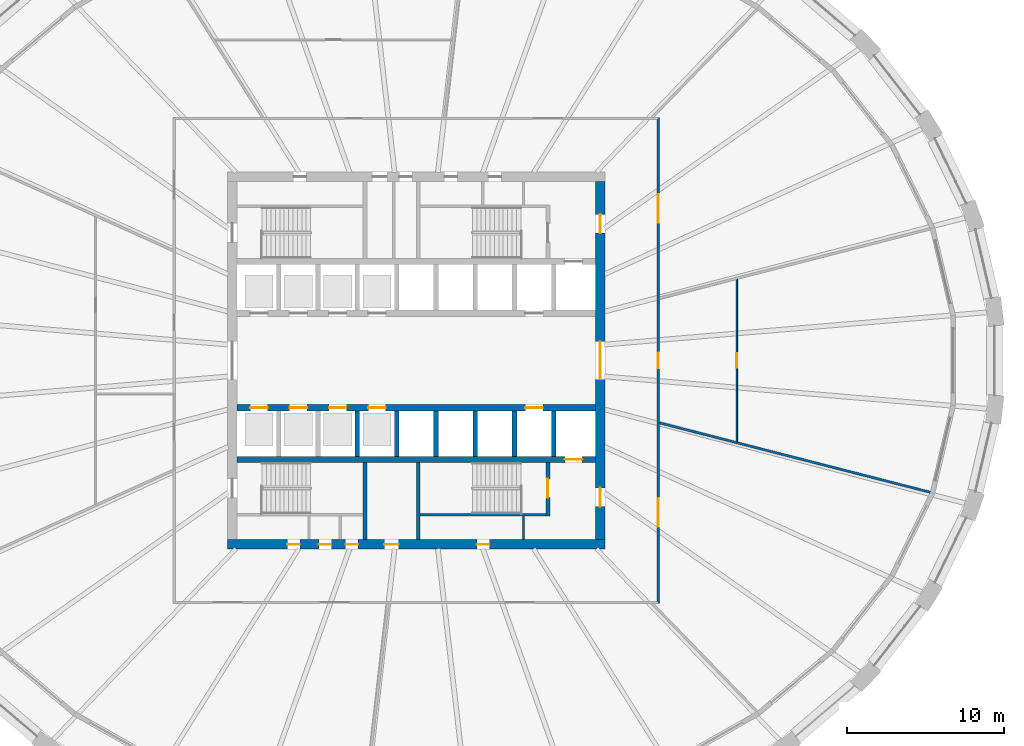
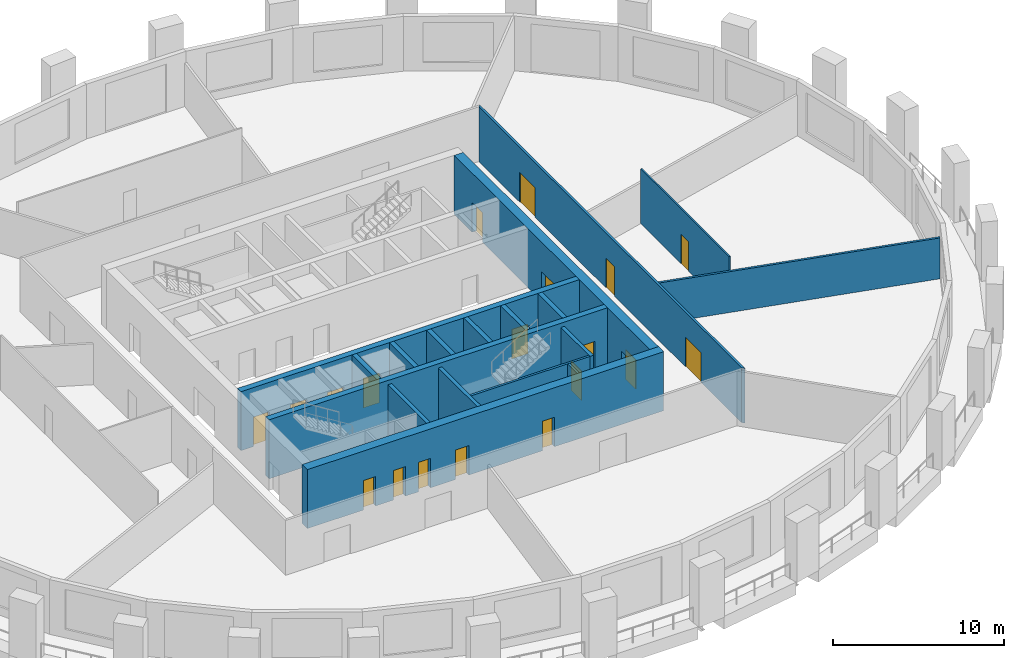
# One storey, part 4 of 10: 19 doors, 18 walls, 19 openings.
"""IFC4 building model written with IfcOpenShell, lengths in metres."""

from ifc_helpers import new_model, si_unit, direction, frame, frame_2d, origin, place, context, subcontext, project, spatial, polyline, rectangle, outline, extrude, material, layer, layer_set, type_object, element, fill, save


model = new_model("IFC4")

# Units and contexts
model_context = context("Model", 3, precision=1e-05, world=origin(), true_north=direction((0.0, 1.0)))
body_context = subcontext(model_context, "Body", "Model", "MODEL_VIEW")
ifc_project = project(units=[si_unit("LENGTHUNIT", "METRE"), si_unit("AREAUNIT", "SQUARE_METRE"), si_unit("VOLUMEUNIT", "CUBIC_METRE"), si_unit("PLANEANGLEUNIT", "RADIAN"), si_unit("MASSUNIT", "GRAM", prefix="KILO")], contexts=[model_context])

# Site, building, storey
site_placement = place(None, origin())
site = spatial("IfcSite", under=ifc_project, at=site_placement, CompositionType="ELEMENT")
building_placement = place(site_placement, origin())
building = spatial("IfcBuilding", under=site, at=building_placement, Name="Halqa Exchange Tower", CompositionType="ELEMENT")
storey_placement = place(building_placement, frame((0.0, 0.0, 65.5)))
storey = spatial("IfcBuildingStorey", under=building, at=storey_placement, Name="L14", CompositionType="ELEMENT", Elevation=65.5)

# Wall, openings, doors
ifc_material_1 = material(Name="Fire-rated gypsum board")
ifc_layer_1 = layer(ifc_material_1, 0.14990234375)
ifc_layer_set_1 = layer_set([ifc_layer_1], Name="Fire-rated gypsum board")
wall_type_1 = type_object("IfcWallType", Name="Fire partition EI 60 150", PredefinedType="PARTITIONING", material=ifc_layer_set_1)
wall_1_placement = place(storey_placement, frame((15.39990234375, -15.47509765625, 0.0), z_axis=(0.0, 0.0, 1.0), x_axis=(0.0, 1.0, 0.0)))
wall_1 = element("IfcWall", 1, at=wall_1_placement, inside=storey, type_object=wall_type_1, Name="L14-PWL-015", PredefinedType="PARTITIONING", context=body_context, shape_type="SweptSolid", body=[
    extrude(outline(polyline([(0.000244140625, -0.074951171875), (1.9345703125, -0.074951171875), (3.868896484375, -0.074951171875), (5.80322265625, -0.074951171875), (7.73779296875, -0.074951171875), (9.672119140625, -0.074951171875), (11.6064453125, -0.074951171875), (13.540771484375, -0.074951171875), (15.47509765625, -0.074951171875), (17.409423828125, -0.074951171875), (19.34375, -0.074951171875), (21.278076171875, -0.074951171875), (23.21240234375, -0.074951171875), (25.14697265625, -0.074951171875), (27.081298828125, -0.074951171875), (29.015625, -0.074951171875), (30.949951171875, -0.074951171875), (30.800048828125, 0.074951171875), (28.884521484375, 0.074951171875), (26.96875, 0.074951171875), (25.05322265625, 0.074951171875), (23.1376953125, 0.074951171875), (21.221923828125, 0.074951171875), (19.306396484375, 0.074951171875), (17.390625, 0.074951171875), (15.47509765625, 0.074951171875), (13.5595703125, 0.074951171875), (11.643798828125, 0.074951171875), (9.728271484375, 0.074951171875), (7.8125, 0.074951171875), (5.89697265625, 0.074951171875), (3.9814453125, 0.074951171875), (2.065673828125, 0.074951171875), (0.150146484375, 0.074951171875), (0.000244140625, -0.074951171875)])), origin(), (0.0, 0.0, 1.0), 3.89990234375),
])
opening_1_placement = place(wall_1_placement, frame((4.89990234375, 0.0, 0.0)))
opening_1 = element("IfcOpeningElement", 2, at=opening_1_placement, cuts=wall_1, Name="Opening 04-01", PredefinedType="OPENING", context=body_context, shape_type="SweptSolid", body=[
    extrude(rectangle(XDim=1.800048828125, YDim=2.10009765625, at=frame_2d((0.89990234375, 1.050048828125))), frame((0.0, 0.0869140625, 0.0), z_axis=(0.0, -1.0, 0.0), x_axis=(1.0, 0.0, 0.0)), (0.0, 0.0, 1.0), 0.173828125),
])
opening_2_placement = place(wall_1_placement, frame((14.97509765625, 0.0, 0.0)))
opening_2 = element("IfcOpeningElement", 3, at=opening_2_placement, cuts=wall_1, Name="Opening 04-02", PredefinedType="OPENING", context=body_context, shape_type="SweptSolid", body=[
    extrude(rectangle(XDim=1.0, YDim=2.10009765625, at=frame_2d((0.5, 1.050048828125))), frame((0.0, 0.0869140625, 0.0), z_axis=(0.0, -1.0, 0.0), x_axis=(1.0, 0.0, 0.0)), (0.0, 0.0, 1.0), 0.173828125),
])
opening_3_placement = place(wall_1_placement, frame((24.25, 0.0, 0.0)))
opening_3 = element("IfcOpeningElement", 4, at=opening_3_placement, cuts=wall_1, Name="Opening 04-03", PredefinedType="OPENING", context=body_context, shape_type="SweptSolid", body=[
    extrude(rectangle(XDim=1.800048828125, YDim=2.10009765625, at=frame_2d((0.89990234375, 1.050048828125))), frame((0.0, 0.0869140625, 0.0), z_axis=(0.0, -1.0, 0.0), x_axis=(1.0, 0.0, 0.0)), (0.0, 0.0, 1.0), 0.173828125),
])
ifc_material_2 = material(Name="Steel fire door leaf", Category="steel")
door_type_1 = type_object("IfcDoorType", Name="Fire door FD30S 1000 x 2100", OperationType="SINGLE_SWING_LEFT", PredefinedType="DOOR", material=ifc_material_2)
door_1_placement = place(opening_2_placement, frame((1.0, 0.0, 0.0), z_axis=(0.0, 0.0, 1.0), x_axis=(-1.0, 0.0, 0.0)))
door_1 = element("IfcDoor", 5, at=door_1_placement, inside=storey, type_object=door_type_1, Name="L14-IDR-002", OperationType="SINGLE_SWING_RIGHT", OverallHeight=2.10009765625, OverallWidth=1.0, PredefinedType="DOOR", context=body_context, shape_type="SweptSolid", body=[
    extrude(rectangle(XDim=1.0, YDim=2.10009765625, at=frame_2d((0.5, 1.050048828125))), frame((0.0, 0.02490234375, 0.0), z_axis=(0.0, -1.0, 0.0), x_axis=(1.0, 0.0, 0.0)), (0.0, 0.0, 1.0), 0.050048828125),
])
fill(opening_2, door_1)
door_type_2 = type_object("IfcDoorType", Name="Fire door FD30S double 1800 x 2100", OperationType="DOUBLE_DOOR_SINGLE_SWING", PredefinedType="DOOR", material=ifc_material_2)
door_2_placement = place(opening_1_placement, frame((1.800048828125, 0.0, 0.0), z_axis=(0.0, 0.0, 1.0), x_axis=(-1.0, 0.0, 0.0)))
door_2 = element("IfcDoor", 6, at=door_2_placement, inside=storey, type_object=door_type_2, Name="L14-IDR-001", OperationType="DOUBLE_DOOR_SINGLE_SWING", OverallHeight=2.10009765625, OverallWidth=1.800048828125, PredefinedType="DOOR", context=body_context, shape_type="SweptSolid", body=[
    extrude(rectangle(XDim=1.800048828125, YDim=2.10009765625, at=frame_2d((0.89990234375, 1.050048828125))), frame((0.0, 0.02490234375, 0.0), z_axis=(0.0, -1.0, 0.0), x_axis=(1.0, 0.0, 0.0)), (0.0, 0.0, 1.0), 0.050048828125),
])
fill(opening_1, door_2)
door_3_placement = place(opening_3_placement, frame((1.800048828125, 0.0, 0.0), z_axis=(0.0, 0.0, 1.0), x_axis=(-1.0, 0.0, 0.0)))
door_3 = element("IfcDoor", 7, at=door_3_placement, inside=storey, type_object=door_type_2, Name="L14-IDR-003", OperationType="DOUBLE_DOOR_SINGLE_SWING", OverallHeight=2.10009765625, OverallWidth=1.800048828125, PredefinedType="DOOR", context=body_context, shape_type="SweptSolid", body=[
    extrude(rectangle(XDim=1.800048828125, YDim=2.10009765625, at=frame_2d((0.89990234375, 1.050048828125))), frame((0.0, 0.02490234375, 0.0), z_axis=(0.0, -1.0, 0.0), x_axis=(1.0, 0.0, 0.0)), (0.0, 0.0, 1.0), 0.050048828125),
])
fill(opening_3, door_3)

# Wall
wall_2_placement = place(storey_placement, frame((15.456787109375, -3.964599609375, 0.0), z_axis=(0.0, 0.0, 1.0), x_axis=(0.968702688789, -0.248223892349, 0.0)))
element("IfcWall", 8, at=wall_2_placement, inside=storey, type_object=wall_type_1, Name="L14-PWL-016", PredefinedType="PARTITIONING", context=body_context, shape_type="SweptSolid", body=[
    extrude(outline(polyline([(0.0380859375, -0.074951171875), (2.01025390625, -0.074951171875), (3.982421875, -0.074951171875), (5.954833984375, -0.074951171875), (7.927001953125, -0.074951171875), (9.8994140625, -0.074951171875), (11.87158203125, -0.074951171875), (13.843994140625, -0.074951171875), (15.816162109375, -0.074951171875), (17.788330078125, -0.074951171875), (17.80126953125, -0.01318359375), (17.80126953125, 0.074951171875), (15.97802734375, 0.074951171875), (14.154541015625, 0.074951171875), (12.331298828125, 0.074951171875), (10.5078125, 0.074951171875), (8.6845703125, 0.074951171875), (6.861083984375, 0.074951171875), (5.037841796875, 0.074951171875), (5.032470703125, 0.073486328125), (5.031982421875, 0.074951171875), (3.354736328125, 0.074951171875), (1.67724609375, 0.074951171875), (0.0, 0.074951171875), (0.0, 0.073486328125), (0.0380859375, -0.074951171875)])), origin(), (0.0, 0.0, 1.0), 2.909912109375),
])

# Wall, opening, door
ifc_material_3 = material(Name="Gypsum board")
ifc_layer_2 = layer(ifc_material_3, 0.10009765625)
ifc_layer_set_2 = layer_set([ifc_layer_2], Name="Gypsum board")
wall_type_2 = type_object("IfcWallType", Name="Partition 100 gypsum", PredefinedType="PARTITIONING", material=ifc_layer_set_2)
wall_3_placement = place(storey_placement, frame((20.39990234375, 5.1650390625, 0.0), z_axis=(0.0, 0.0, 1.0), x_axis=(0.0, -1.0, 0.0)))
wall_3 = element("IfcWall", 9, at=wall_3_placement, inside=storey, type_object=wall_type_2, Name="L14-PWL-018", PredefinedType="PARTITIONING", context=body_context, shape_type="SweptSolid", body=[
    extrude(outline(polyline([(0.025390625, -0.050048828125), (1.73876953125, -0.050048828125), (3.4521484375, -0.050048828125), (5.165771484375, -0.050048828125), (6.879150390625, -0.050048828125), (8.592529296875, -0.050048828125), (10.305908203125, -0.050048828125), (10.33154296875, 0.049560546875), (10.33154296875, 0.050048828125), (8.609619140625, 0.050048828125), (6.8876953125, 0.050048828125), (5.165771484375, 0.050048828125), (3.44384765625, 0.050048828125), (1.721923828125, 0.050048828125), (0.0, 0.050048828125), (0.0, 0.048828125), (0.025390625, -0.050048828125)])), origin(), (0.0, 0.0, 1.0), 3.89990234375),
])
opening_4_placement = place(wall_3_placement, frame((4.715087890625, 0.0, 0.0)))
opening_4 = element("IfcOpeningElement", 10, at=opening_4_placement, cuts=wall_3, Name="Opening 04-12", PredefinedType="OPENING", context=body_context, shape_type="SweptSolid", body=[
    extrude(rectangle(XDim=0.89990234375, YDim=2.10009765625, at=frame_2d((0.449951171875, 1.050048828125))), frame((0.0, 0.06201171875, 0.0), z_axis=(0.0, -1.0, 0.0), x_axis=(1.0, 0.0, 0.0)), (0.0, 0.0, 1.0), 0.1240234375),
])
ifc_material_4 = material(Name="Timber door leaf", Category="wood")
door_type_3 = type_object("IfcDoorType", Name="Door 900 x 2100", OperationType="SINGLE_SWING_LEFT", PredefinedType="DOOR", material=ifc_material_4)
door_4_placement = place(opening_4_placement, frame((0.89990234375, 0.0, 0.0), z_axis=(0.0, 0.0, 1.0), x_axis=(-1.0, 0.0, 0.0)))
door_4 = element("IfcDoor", 11, at=door_4_placement, inside=storey, type_object=door_type_3, Name="L14-IDR-012", OperationType="SINGLE_SWING_LEFT", OverallHeight=2.10009765625, OverallWidth=0.89990234375, PredefinedType="DOOR", context=body_context, shape_type="SweptSolid", body=[
    extrude(rectangle(XDim=0.89990234375, YDim=2.10009765625, at=frame_2d((0.449951171875, 1.050048828125))), frame((0.0, 0.02490234375, 0.0), z_axis=(0.0, -1.0, 0.0), x_axis=(1.0, 0.0, 0.0)), (0.0, 0.0, 1.0), 0.050048828125),
])
fill(opening_4, door_4)

# Walls
ifc_layer_3 = layer(ifc_material_3, 0.14990234375)
ifc_layer_set_3 = layer_set([ifc_layer_3], Name="Gypsum board")
wall_type_3 = type_object("IfcWallType", Name="Penthouse riser wall 150 gypsum", PredefinedType="PARTITIONING", material=ifc_layer_set_3)
wall_4_placement = place(storey_placement, frame((6.824951171875, -11.39990234375, 0.0), z_axis=(0.0, 0.0, 1.0), x_axis=(0.0, 1.0, 0.0)))
element("IfcWall", 12, at=wall_4_placement, inside=storey, type_object=wall_type_3, Name="Firefighting lobby west wall S", PredefinedType="PARTITIONING", context=body_context, shape_type="SweptSolid", body=[
    extrude(rectangle(XDim=1.5, YDim=0.14990234375, at=frame_2d((0.75, 0.0))), origin(), (0.0, 0.0, 1.0), 3.89990234375),
])
ifc_material_5 = material(Name="Concrete C60/75", Category="concrete")
ifc_layer_4 = layer(ifc_material_5, 0.300048828125)
ifc_layer_set_4 = layer_set([ifc_layer_4], Name="Concrete C60/75")
wall_type_4 = type_object("IfcWallType", Name="RC core wall 300", PredefinedType="SHEAR", material=ifc_layer_set_4)
for number, where, z_axis, x_axis, name in (
    (13, (-3.75, -6.10009765625, 0.0), (0.0, 0.0, 1.0), (0.0, 1.0, 0.0), "Shaft divider S3"),
    (14, (-1.25, -6.10009765625, 0.0), (0.0, 0.0, 1.0), (0.0, 1.0, 0.0), "Shaft divider S4"),
    (15, (1.25, -6.10009765625, 0.0), (0.0, 0.0, 1.0), (0.0, 1.0, 0.0), "Shaft divider S5"),
    (16, (3.75, -6.10009765625, 0.0), (0.0, 0.0, 1.0), (0.0, 1.0, 0.0), "Shaft divider S6"),
    (17, (6.25, -6.10009765625, 0.0), (0.0, 0.0, 1.0), (0.0, 1.0, 0.0), "Shaft divider S7"),
    (18, (8.75, -6.10009765625, 0.0), (0.0, 0.0, 1.0), (0.0, 1.0, 0.0), "Shaft divider S8"),
):
    element("IfcWall", number, at=place(storey_placement, frame(where, z_axis=z_axis, x_axis=x_axis)), inside=storey, type_object=wall_type_4, Name=name, PredefinedType="SHEAR", context=body_context, shape_type="SweptSolid", body=[
        extrude(rectangle(XDim=2.900146484375, YDim=0.300048828125, at=frame_2d((1.4501953125, 0.0))), origin(), (0.0, 0.0, 1.0), 4.199951171875),
    ])

# Wall, openings, doors
ifc_material_6 = material(Name="Concrete C80/95", Category="concrete")
ifc_layer_5 = layer(ifc_material_6, 0.39990234375)
ifc_layer_set_5 = layer_set([ifc_layer_5], Name="Concrete C80/95")
wall_type_5 = type_object("IfcWallType", Name="RC core wall 400 C80/95", PredefinedType="SHEAR", material=ifc_layer_set_5)
wall_5_placement = place(storey_placement, frame((-11.39990234375, -3.0, 0.0), z_axis=(0.0, 0.0, 1.0), x_axis=(1.0, 0.0, 0.0)))
wall_5 = element("IfcWall", 19, at=wall_5_placement, inside=storey, type_object=wall_type_5, Name="Lift row front wall S", PredefinedType="SHEAR", context=body_context, shape_type="SweptSolid", body=[
    extrude(rectangle(XDim=22.7998046875, YDim=0.39990234375, at=frame_2d((11.39990234375, 0.0))), origin(), (0.0, 0.0, 1.0), 4.199951171875),
])
opening_5_placement = place(wall_5_placement, frame((0.85009765625, 0.0, 0.0)))
opening_5 = element("IfcOpeningElement", 20, at=opening_5_placement, cuts=wall_5, Name="Opening LD-LR5-T04", PredefinedType="OPENING", context=body_context, shape_type="SweptSolid", body=[
    extrude(rectangle(XDim=1.10009765625, YDim=2.10009765625, at=frame_2d((0.550048828125, 1.050048828125))), frame((0.0, 0.2119140625, 0.0), z_axis=(0.0, -1.0, 0.0), x_axis=(1.0, 0.0, 0.0)), (0.0, 0.0, 1.0), 0.423828125),
])
opening_6_placement = place(wall_5_placement, frame((3.35009765625, 0.0, 0.0)))
opening_6 = element("IfcOpeningElement", 21, at=opening_6_placement, cuts=wall_5, Name="Opening LD-LR6-T04", PredefinedType="OPENING", context=body_context, shape_type="SweptSolid", body=[
    extrude(rectangle(XDim=1.10009765625, YDim=2.10009765625, at=frame_2d((0.550048828125, 1.050048828125))), frame((0.0, 0.2119140625, 0.0), z_axis=(0.0, -1.0, 0.0), x_axis=(1.0, 0.0, 0.0)), (0.0, 0.0, 1.0), 0.423828125),
])
opening_7_placement = place(wall_5_placement, frame((5.85009765625, 0.0, 0.0)))
opening_7 = element("IfcOpeningElement", 22, at=opening_7_placement, cuts=wall_5, Name="Opening LD-LR7-T04", PredefinedType="OPENING", context=body_context, shape_type="SweptSolid", body=[
    extrude(rectangle(XDim=1.10009765625, YDim=2.10009765625, at=frame_2d((0.550048828125, 1.050048828125))), frame((0.0, 0.2119140625, 0.0), z_axis=(0.0, -1.0, 0.0), x_axis=(1.0, 0.0, 0.0)), (0.0, 0.0, 1.0), 0.423828125),
])
opening_8_placement = place(wall_5_placement, frame((8.35009765625, 0.0, 0.0)))
opening_8 = element("IfcOpeningElement", 23, at=opening_8_placement, cuts=wall_5, Name="Opening LD-LR8-T04", PredefinedType="OPENING", context=body_context, shape_type="SweptSolid", body=[
    extrude(rectangle(XDim=1.10009765625, YDim=2.10009765625, at=frame_2d((0.550048828125, 1.050048828125))), frame((0.0, 0.2119140625, 0.0), z_axis=(0.0, -1.0, 0.0), x_axis=(1.0, 0.0, 0.0)), (0.0, 0.0, 1.0), 0.423828125),
])
opening_9_placement = place(wall_5_placement, frame((18.35009765625, 0.0, 0.0)))
opening_9 = element("IfcOpeningElement", 24, at=opening_9_placement, cuts=wall_5, Name="Opening LD-SV2-T04", PredefinedType="OPENING", context=body_context, shape_type="SweptSolid", body=[
    extrude(rectangle(XDim=1.10009765625, YDim=2.10009765625, at=frame_2d((0.550048828125, 1.050048828125))), frame((0.0, 0.2119140625, 0.0), z_axis=(0.0, -1.0, 0.0), x_axis=(1.0, 0.0, 0.0)), (0.0, 0.0, 1.0), 0.423828125),
])
ifc_material_7 = material(Name="Stainless steel", Category="steel")
door_type_4 = type_object("IfcDoorType", Name="Lift landing door 1100 x 2100", OperationType="SLIDING_TO_LEFT", PredefinedType="DOOR", material=ifc_material_7)
door_5_placement = place(opening_5_placement, origin())
door_5 = element("IfcDoor", 25, at=door_5_placement, inside=storey, type_object=door_type_4, Name="Lift landing door LR5", OperationType="SLIDING_TO_LEFT", OverallHeight=2.10009765625, OverallWidth=1.10009765625, PredefinedType="DOOR", context=body_context, shape_type="SweptSolid", body=[
    extrude(rectangle(XDim=1.10009765625, YDim=2.10009765625, at=frame_2d((0.550048828125, 1.050048828125))), frame((0.0, 0.02490234375, 0.0), z_axis=(0.0, -1.0, 0.0), x_axis=(1.0, 0.0, 0.0)), (0.0, 0.0, 1.0), 0.050048828125),
])
fill(opening_5, door_5)
door_6_placement = place(opening_6_placement, origin())
door_6 = element("IfcDoor", 26, at=door_6_placement, inside=storey, type_object=door_type_4, Name="Lift landing door LR6", OperationType="SLIDING_TO_LEFT", OverallHeight=2.10009765625, OverallWidth=1.10009765625, PredefinedType="DOOR", context=body_context, shape_type="SweptSolid", body=[
    extrude(rectangle(XDim=1.10009765625, YDim=2.10009765625, at=frame_2d((0.550048828125, 1.050048828125))), frame((0.0, 0.02490234375, 0.0), z_axis=(0.0, -1.0, 0.0), x_axis=(1.0, 0.0, 0.0)), (0.0, 0.0, 1.0), 0.050048828125),
])
fill(opening_6, door_6)
door_7_placement = place(opening_7_placement, origin())
door_7 = element("IfcDoor", 27, at=door_7_placement, inside=storey, type_object=door_type_4, Name="Lift landing door LR7", OperationType="SLIDING_TO_LEFT", OverallHeight=2.10009765625, OverallWidth=1.10009765625, PredefinedType="DOOR", context=body_context, shape_type="SweptSolid", body=[
    extrude(rectangle(XDim=1.10009765625, YDim=2.10009765625, at=frame_2d((0.550048828125, 1.050048828125))), frame((0.0, 0.02490234375, 0.0), z_axis=(0.0, -1.0, 0.0), x_axis=(1.0, 0.0, 0.0)), (0.0, 0.0, 1.0), 0.050048828125),
])
fill(opening_7, door_7)
door_8_placement = place(opening_8_placement, origin())
door_8 = element("IfcDoor", 28, at=door_8_placement, inside=storey, type_object=door_type_4, Name="Lift landing door LR8", OperationType="SLIDING_TO_LEFT", OverallHeight=2.10009765625, OverallWidth=1.10009765625, PredefinedType="DOOR", context=body_context, shape_type="SweptSolid", body=[
    extrude(rectangle(XDim=1.10009765625, YDim=2.10009765625, at=frame_2d((0.550048828125, 1.050048828125))), frame((0.0, 0.02490234375, 0.0), z_axis=(0.0, -1.0, 0.0), x_axis=(1.0, 0.0, 0.0)), (0.0, 0.0, 1.0), 0.050048828125),
])
fill(opening_8, door_8)
door_9_placement = place(opening_9_placement, origin())
door_9 = element("IfcDoor", 29, at=door_9_placement, inside=storey, type_object=door_type_4, Name="Lift landing door SV2", OperationType="SLIDING_TO_LEFT", OverallHeight=2.10009765625, OverallWidth=1.10009765625, PredefinedType="DOOR", context=body_context, shape_type="SweptSolid", body=[
    extrude(rectangle(XDim=1.10009765625, YDim=2.10009765625, at=frame_2d((0.550048828125, 1.050048828125))), frame((0.0, 0.02490234375, 0.0), z_axis=(0.0, -1.0, 0.0), x_axis=(1.0, 0.0, 0.0)), (0.0, 0.0, 1.0), 0.050048828125),
])
fill(opening_9, door_9)

# Wall, opening, door
wall_6_placement = place(storey_placement, frame((-11.39990234375, -6.300048828125, 0.0), z_axis=(0.0, 0.0, 1.0), x_axis=(1.0, 0.0, 0.0)))
wall_6 = element("IfcWall", 30, at=wall_6_placement, inside=storey, type_object=wall_type_5, Name="Lift row back wall S", PredefinedType="SHEAR", context=body_context, shape_type="SweptSolid", body=[
    extrude(rectangle(XDim=22.7998046875, YDim=0.39990234375, at=frame_2d((11.39990234375, 0.0))), origin(), (0.0, 0.0, 1.0), 4.199951171875),
])
opening_10_placement = place(wall_6_placement, frame((20.85009765625, 0.0, 0.0)))
opening_10 = element("IfcOpeningElement", 31, at=opening_10_placement, cuts=wall_6, Name="Opening LD-FF2-T04", PredefinedType="OPENING", context=body_context, shape_type="SweptSolid", body=[
    extrude(rectangle(XDim=1.10009765625, YDim=2.10009765625, at=frame_2d((0.550048828125, 1.050048828125))), frame((0.0, 0.2119140625, 0.0), z_axis=(0.0, -1.0, 0.0), x_axis=(1.0, 0.0, 0.0)), (0.0, 0.0, 1.0), 0.423828125),
])
door_10_placement = place(opening_10_placement, origin())
door_10 = element("IfcDoor", 32, at=door_10_placement, inside=storey, type_object=door_type_4, Name="Lift landing door FF2", OperationType="SLIDING_TO_LEFT", OverallHeight=2.10009765625, OverallWidth=1.10009765625, PredefinedType="DOOR", context=body_context, shape_type="SweptSolid", body=[
    extrude(rectangle(XDim=1.10009765625, YDim=2.10009765625, at=frame_2d((0.550048828125, 1.050048828125))), frame((0.0, 0.02490234375, 0.0), z_axis=(0.0, -1.0, 0.0), x_axis=(1.0, 0.0, 0.0)), (0.0, 0.0, 1.0), 0.050048828125),
])
fill(opening_10, door_10)

# Wall, openings, doors
ifc_layer_6 = layer(ifc_material_6, 0.60009765625)
ifc_layer_set_6 = layer_set([ifc_layer_6], Name="Concrete C80/95")
wall_type_6 = type_object("IfcWallType", Name="RC core wall 600 C80/95", PredefinedType="SHEAR", material=ifc_layer_set_6)
wall_7_placement = place(storey_placement, frame((-12.0, -11.699951171875, 0.0), z_axis=(0.0, 0.0, 1.0), x_axis=(1.0, 0.0, 0.0)))
wall_7 = element("IfcWall", 33, at=wall_7_placement, inside=storey, type_object=wall_type_6, Name="Core wall south", PredefinedType="SHEAR", context=body_context, shape_type="SweptSolid", body=[
    extrude(rectangle(XDim=24.0, YDim=0.60009765625, at=frame_2d((12.0, 0.0))), origin(), (0.0, 0.0, 1.0), 4.199951171875),
])
opening_11_placement = place(wall_7_placement, frame((9.97509765625, 0.0, 0.0)))
opening_11 = element("IfcOpeningElement", 34, at=opening_11_placement, cuts=wall_7, Name="Opening T04-C26", PredefinedType="OPENING", context=body_context, shape_type="SweptSolid", body=[
    extrude(rectangle(XDim=0.89990234375, YDim=2.10009765625, at=frame_2d((0.449951171875, 1.050048828125))), frame((0.0, 0.31201171875, 0.0), z_axis=(0.0, -1.0, 0.0), x_axis=(1.0, 0.0, 0.0)), (0.0, 0.0, 1.0), 0.6240234375),
])
opening_12_placement = place(wall_7_placement, frame((3.800048828125, 0.0, 0.0)))
opening_12 = element("IfcOpeningElement", 35, at=opening_12_placement, cuts=wall_7, Name="Opening T04-C27", PredefinedType="OPENING", context=body_context, shape_type="SweptSolid", body=[
    extrude(rectangle(XDim=0.800048828125, YDim=2.10009765625, at=frame_2d((0.39990234375, 1.050048828125))), frame((0.0, 0.31201171875, 0.0), z_axis=(0.0, -1.0, 0.0), x_axis=(1.0, 0.0, 0.0)), (0.0, 0.0, 1.0), 0.6240234375),
])
opening_13_placement = place(wall_7_placement, frame((5.800048828125, 0.0, 0.0)))
opening_13 = element("IfcOpeningElement", 36, at=opening_13_placement, cuts=wall_7, Name="Opening T04-C28", PredefinedType="OPENING", context=body_context, shape_type="SweptSolid", body=[
    extrude(rectangle(XDim=0.800048828125, YDim=2.10009765625, at=frame_2d((0.39990234375, 1.050048828125))), frame((0.0, 0.31201171875, 0.0), z_axis=(0.0, -1.0, 0.0), x_axis=(1.0, 0.0, 0.0)), (0.0, 0.0, 1.0), 0.6240234375),
])
opening_14_placement = place(wall_7_placement, frame((7.5, 0.0, 0.0)))
opening_14 = element("IfcOpeningElement", 37, at=opening_14_placement, cuts=wall_7, Name="Opening T04-C29", PredefinedType="OPENING", context=body_context, shape_type="SweptSolid", body=[
    extrude(rectangle(XDim=0.800048828125, YDim=2.10009765625, at=frame_2d((0.39990234375, 1.050048828125))), frame((0.0, 0.31201171875, 0.0), z_axis=(0.0, -1.0, 0.0), x_axis=(1.0, 0.0, 0.0)), (0.0, 0.0, 1.0), 0.6240234375),
])
opening_15_placement = place(wall_7_placement, frame((15.85009765625, 0.0, 0.0)))
opening_15 = element("IfcOpeningElement", 38, at=opening_15_placement, cuts=wall_7, Name="Opening T04-C30", PredefinedType="OPENING", context=body_context, shape_type="SweptSolid", body=[
    extrude(rectangle(XDim=0.800048828125, YDim=2.10009765625, at=frame_2d((0.39990234375, 1.050048828125))), frame((0.0, 0.31201171875, 0.0), z_axis=(0.0, -1.0, 0.0), x_axis=(1.0, 0.0, 0.0)), (0.0, 0.0, 1.0), 0.6240234375),
])
ifc_material_8 = material(Name="Timber fire door leaf", Category="wood")
door_type_5 = type_object("IfcDoorType", Name="Core room door FD30 900 x 2100", OperationType="SINGLE_SWING_LEFT", PredefinedType="DOOR", material=ifc_material_8)
door_11_placement = place(opening_11_placement, origin())
door_11 = element("IfcDoor", 39, at=door_11_placement, inside=storey, type_object=door_type_5, Name="Core room door", OperationType="SINGLE_SWING_LEFT", OverallHeight=2.10009765625, OverallWidth=0.89990234375, PredefinedType="DOOR", context=body_context, shape_type="SweptSolid", body=[
    extrude(rectangle(XDim=0.89990234375, YDim=2.10009765625, at=frame_2d((0.449951171875, 1.050048828125))), frame((0.0, 0.02490234375, 0.0), z_axis=(0.0, -1.0, 0.0), x_axis=(1.0, 0.0, 0.0)), (0.0, 0.0, 1.0), 0.050048828125),
])
fill(opening_11, door_11)
door_type_6 = type_object("IfcDoorType", Name="Riser door FD60 800 x 2100", OperationType="SINGLE_SWING_LEFT", PredefinedType="DOOR", material=ifc_material_2)
door_12_placement = place(opening_12_placement, origin())
door_12 = element("IfcDoor", 40, at=door_12_placement, inside=storey, type_object=door_type_6, Name="Core room door", OperationType="SINGLE_SWING_LEFT", OverallHeight=2.10009765625, OverallWidth=0.800048828125, PredefinedType="DOOR", context=body_context, shape_type="SweptSolid", body=[
    extrude(rectangle(XDim=0.800048828125, YDim=2.10009765625, at=frame_2d((0.39990234375, 1.050048828125))), frame((0.0, 0.02490234375, 0.0), z_axis=(0.0, -1.0, 0.0), x_axis=(1.0, 0.0, 0.0)), (0.0, 0.0, 1.0), 0.050048828125),
])
fill(opening_12, door_12)
door_13_placement = place(opening_13_placement, origin())
door_13 = element("IfcDoor", 41, at=door_13_placement, inside=storey, type_object=door_type_6, Name="Core room door", OperationType="SINGLE_SWING_RIGHT", OverallHeight=2.10009765625, OverallWidth=0.800048828125, PredefinedType="DOOR", context=body_context, shape_type="SweptSolid", body=[
    extrude(rectangle(XDim=0.800048828125, YDim=2.10009765625, at=frame_2d((0.39990234375, 1.050048828125))), frame((0.0, 0.02490234375, 0.0), z_axis=(0.0, -1.0, 0.0), x_axis=(1.0, 0.0, 0.0)), (0.0, 0.0, 1.0), 0.050048828125),
])
fill(opening_13, door_13)
door_14_placement = place(opening_14_placement, origin())
door_14 = element("IfcDoor", 42, at=door_14_placement, inside=storey, type_object=door_type_6, Name="Core room door", OperationType="SINGLE_SWING_RIGHT", OverallHeight=2.10009765625, OverallWidth=0.800048828125, PredefinedType="DOOR", context=body_context, shape_type="SweptSolid", body=[
    extrude(rectangle(XDim=0.800048828125, YDim=2.10009765625, at=frame_2d((0.39990234375, 1.050048828125))), frame((0.0, 0.02490234375, 0.0), z_axis=(0.0, -1.0, 0.0), x_axis=(1.0, 0.0, 0.0)), (0.0, 0.0, 1.0), 0.050048828125),
])
fill(opening_14, door_14)
door_15_placement = place(opening_15_placement, origin())
door_15 = element("IfcDoor", 43, at=door_15_placement, inside=storey, type_object=door_type_6, Name="Core room door", OperationType="SINGLE_SWING_LEFT", OverallHeight=2.10009765625, OverallWidth=0.800048828125, PredefinedType="DOOR", context=body_context, shape_type="SweptSolid", body=[
    extrude(rectangle(XDim=0.800048828125, YDim=2.10009765625, at=frame_2d((0.39990234375, 1.050048828125))), frame((0.0, 0.02490234375, 0.0), z_axis=(0.0, -1.0, 0.0), x_axis=(1.0, 0.0, 0.0)), (0.0, 0.0, 1.0), 0.050048828125),
])
fill(opening_15, door_15)

wall_8_placement = place(storey_placement, frame((11.699951171875, -11.39990234375, 0.0), z_axis=(0.0, 0.0, 1.0), x_axis=(0.0, 1.0, 0.0)))
wall_8 = element("IfcWall", 44, at=wall_8_placement, inside=storey, type_object=wall_type_6, Name="Core wall east", PredefinedType="SHEAR", context=body_context, shape_type="SweptSolid", body=[
    extrude(rectangle(XDim=22.7998046875, YDim=0.60009765625, at=frame_2d((11.39990234375, 0.0))), origin(), (0.0, 0.0, 1.0), 4.199951171875),
])
opening_16_placement = place(wall_8_placement, frame((10.199951171875, 0.0, 0.0)))
opening_16 = element("IfcOpeningElement", 45, at=opening_16_placement, cuts=wall_8, Name="Opening T04-C14", PredefinedType="OPENING", context=body_context, shape_type="SweptSolid", body=[
    extrude(rectangle(XDim=2.39990234375, YDim=2.10009765625, at=frame_2d((1.199951171875, 1.050048828125))), frame((0.0, 0.31201171875, 0.0), z_axis=(0.0, -1.0, 0.0), x_axis=(1.0, 0.0, 0.0)), (0.0, 0.0, 1.0), 0.6240234375),
])
opening_17_placement = place(wall_8_placement, frame((19.5, 0.0, 0.0)))
opening_17 = element("IfcOpeningElement", 46, at=opening_17_placement, cuts=wall_8, Name="Opening T04-C19", PredefinedType="OPENING", context=body_context, shape_type="SweptSolid", body=[
    extrude(rectangle(XDim=1.199951171875, YDim=2.10009765625, at=frame_2d((0.60009765625, 1.050048828125))), frame((0.0, 0.31201171875, 0.0), z_axis=(0.0, -1.0, 0.0), x_axis=(1.0, 0.0, 0.0)), (0.0, 0.0, 1.0), 0.6240234375),
])
opening_18_placement = place(wall_8_placement, frame((2.10009765625, 0.0, 0.0)))
opening_18 = element("IfcOpeningElement", 47, at=opening_18_placement, cuts=wall_8, Name="Opening T04-C20", PredefinedType="OPENING", context=body_context, shape_type="SweptSolid", body=[
    extrude(rectangle(XDim=1.199951171875, YDim=2.10009765625, at=frame_2d((0.60009765625, 1.050048828125))), frame((0.0, 0.31201171875, 0.0), z_axis=(0.0, -1.0, 0.0), x_axis=(1.0, 0.0, 0.0)), (0.0, 0.0, 1.0), 0.6240234375),
])
door_type_7 = type_object("IfcDoorType", Name="Firefighting lobby door FD90 1200 x 2100", OperationType="SINGLE_SWING_RIGHT", PredefinedType="DOOR", material=ifc_material_2)
door_16_placement = place(opening_17_placement, origin())
door_16 = element("IfcDoor", 48, at=door_16_placement, inside=storey, type_object=door_type_7, Name="Firefighting lobby door", OperationType="SINGLE_SWING_RIGHT", OverallHeight=2.10009765625, OverallWidth=1.199951171875, PredefinedType="DOOR", context=body_context, shape_type="SweptSolid", body=[
    extrude(rectangle(XDim=1.199951171875, YDim=2.10009765625, at=frame_2d((0.60009765625, 1.050048828125))), frame((0.0, 0.02490234375, 0.0), z_axis=(0.0, -1.0, 0.0), x_axis=(1.0, 0.0, 0.0)), (0.0, 0.0, 1.0), 0.050048828125),
])
fill(opening_17, door_16)
door_17_placement = place(opening_18_placement, origin())
door_17 = element("IfcDoor", 49, at=door_17_placement, inside=storey, type_object=door_type_7, Name="Firefighting lobby door", OperationType="SINGLE_SWING_LEFT", OverallHeight=2.10009765625, OverallWidth=1.199951171875, PredefinedType="DOOR", context=body_context, shape_type="SweptSolid", body=[
    extrude(rectangle(XDim=1.199951171875, YDim=2.10009765625, at=frame_2d((0.60009765625, 1.050048828125))), frame((0.0, 0.02490234375, 0.0), z_axis=(0.0, -1.0, 0.0), x_axis=(1.0, 0.0, 0.0)), (0.0, 0.0, 1.0), 0.050048828125),
])
fill(opening_18, door_17)
door_type_8 = type_object("IfcDoorType", Name="Lobby double door FD60 2400 x 2100", OperationType="DOUBLE_DOOR_SINGLE_SWING", PredefinedType="DOOR", material=ifc_material_2)
door_18_placement = place(opening_16_placement, origin())
door_18 = element("IfcDoor", 50, at=door_18_placement, inside=storey, type_object=door_type_8, Name="Lift lobby double door", OperationType="DOUBLE_DOOR_SINGLE_SWING", OverallHeight=2.10009765625, OverallWidth=2.39990234375, PredefinedType="DOOR", context=body_context, shape_type="SweptSolid", body=[
    extrude(rectangle(XDim=2.39990234375, YDim=2.10009765625, at=frame_2d((1.199951171875, 1.050048828125))), frame((0.0, 0.02490234375, 0.0), z_axis=(0.0, -1.0, 0.0), x_axis=(1.0, 0.0, 0.0)), (0.0, 0.0, 1.0), 0.050048828125),
])
fill(opening_16, door_18)

# Walls
ifc_material_9 = material(Name="Concrete C30/37", Category="concrete")
ifc_layer_7 = layer(ifc_material_9, 0.14990234375)
ifc_layer_set_7 = layer_set([ifc_layer_7], Name="Concrete C30/37")
wall_type_7 = type_object("IfcWallType", Name="RC stair wall 150 C30/37", PredefinedType="SHEAR", material=ifc_layer_set_7)
wall_9_placement = place(storey_placement, frame((0.25, -9.824951171875, 0.0), z_axis=(0.0, 0.0, 1.0), x_axis=(1.0, 0.0, 0.0)))
element("IfcWall", 51, at=wall_9_placement, inside=storey, type_object=wall_type_7, Name="Stair ST2 north wall S", PredefinedType="SHEAR", context=body_context, shape_type="SweptSolid", body=[
    extrude(rectangle(XDim=8.0, YDim=0.14990234375, at=frame_2d((4.0, 0.0))), origin(), (0.0, 0.0, 1.0), 3.89990234375),
])
ifc_layer_8 = layer(ifc_material_9, 0.25)
ifc_layer_set_8 = layer_set([ifc_layer_8], Name="Concrete C30/37")
wall_type_8 = type_object("IfcWallType", Name="RC stair wall 250 C30/37", PredefinedType="SHEAR", material=ifc_layer_set_8)
for number, where, z_axis, x_axis, name in (
    (52, (-3.27490234375, -11.39990234375, 0.0), (0.0, 0.0, 1.0), (0.0, 1.0, 0.0), "Stair ST1 east wall S"),
    (53, (0.125, -11.39990234375, 0.0), (0.0, 0.0, 1.0), (0.0, 1.0, 0.0), "Stair ST2 west wall S"),
):
    element("IfcWall", number, at=place(storey_placement, frame(where, z_axis=z_axis, x_axis=x_axis)), inside=storey, type_object=wall_type_8, Name=name, PredefinedType="SHEAR", context=body_context, shape_type="SweptSolid", body=[
        extrude(rectangle(XDim=4.89990234375, YDim=0.25, at=frame_2d((2.449951171875, 0.0))), origin(), (0.0, 0.0, 1.0), 3.89990234375),
    ])

# Wall, opening, door
wall_10_placement = place(storey_placement, frame((8.375, -9.89990234375, 0.0), z_axis=(0.0, 0.0, 1.0), x_axis=(0.0, 1.0, 0.0)))
wall_10 = element("IfcWall", 54, at=wall_10_placement, inside=storey, type_object=wall_type_8, Name="Stair ST2 east wall S", PredefinedType="SHEAR", context=body_context, shape_type="SweptSolid", body=[
    extrude(rectangle(XDim=3.39990234375, YDim=0.25, at=frame_2d((1.699951171875, 0.0))), origin(), (0.0, 0.0, 1.0), 3.89990234375),
])
opening_19_placement = place(wall_10_placement, frame((1.175048828125, 0.0, 0.0)))
opening_19 = element("IfcOpeningElement", 55, at=opening_19_placement, cuts=wall_10, Name="Opening T04-C18", PredefinedType="OPENING", context=body_context, shape_type="SweptSolid", body=[
    extrude(rectangle(XDim=1.199951171875, YDim=2.10009765625, at=frame_2d((0.60009765625, 1.050048828125))), frame((0.0, 0.136962890625, 0.0), z_axis=(0.0, -1.0, 0.0), x_axis=(1.0, 0.0, 0.0)), (0.0, 0.0, 1.0), 0.27392578125),
])
door_type_9 = type_object("IfcDoorType", Name="Stair door FD90 1200 x 2100", OperationType="SINGLE_SWING_LEFT", PredefinedType="DOOR", material=ifc_material_2)
door_19_placement = place(opening_19_placement, origin())
door_19 = element("IfcDoor", 56, at=door_19_placement, inside=storey, type_object=door_type_9, Name="Stair door ST4", OperationType="SINGLE_SWING_LEFT", OverallHeight=2.10009765625, OverallWidth=1.199951171875, PredefinedType="DOOR", context=body_context, shape_type="SweptSolid", body=[
    extrude(rectangle(XDim=1.199951171875, YDim=2.10009765625, at=frame_2d((0.60009765625, 1.050048828125))), frame((0.0, 0.02490234375, 0.0), z_axis=(0.0, -1.0, 0.0), x_axis=(1.0, 0.0, 0.0)), (0.0, 0.0, 1.0), 0.050048828125),
])
fill(opening_19, door_19)

save(model, "model.ifc")
